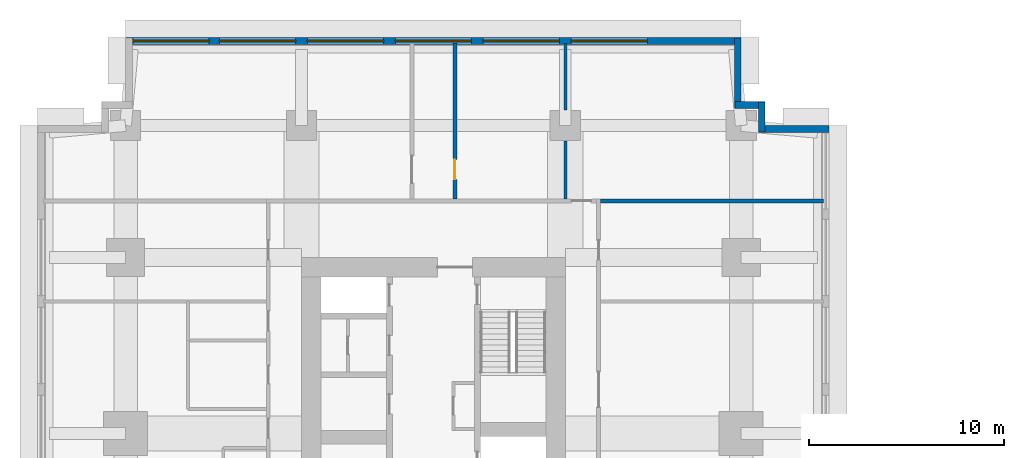
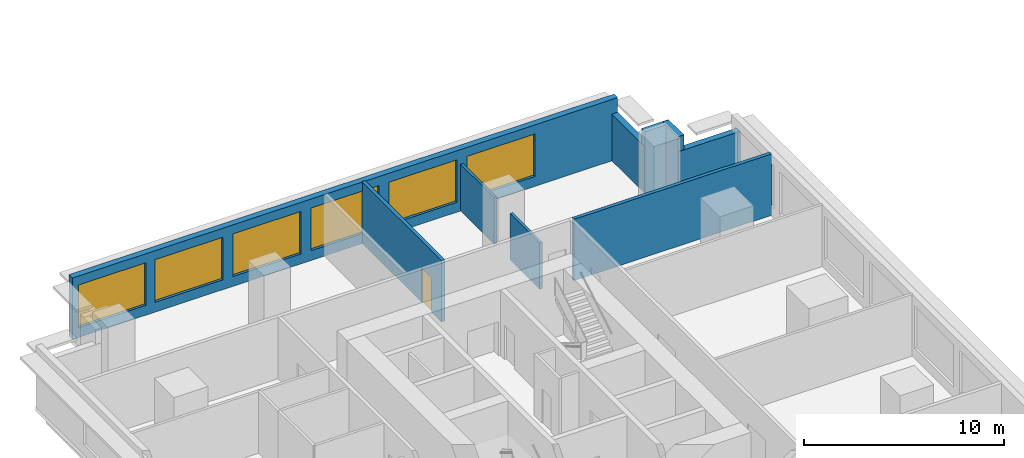
# One storey, part 5 of 7: 9 walls, 6 windows, 1 door, 7 openings.
"""IFC4 building model written with IfcOpenShell, lengths in metres."""

from ifc_helpers import new_model, si_unit, direction, frame, frame_2d, origin, place, context, subcontext, project, spatial, rectangle, extrude, material, layer, layer_set, type_object, element, fill, save


model = new_model("IFC4")

# Units and contexts
model_context = context("Model", 3, precision=1e-05, world=origin(), true_north=direction((0.0, 1.0)))
body_context = subcontext(model_context, "Body", "Model", "MODEL_VIEW")
ifc_project = project(units=[si_unit("LENGTHUNIT", "METRE"), si_unit("AREAUNIT", "SQUARE_METRE"), si_unit("VOLUMEUNIT", "CUBIC_METRE"), si_unit("PLANEANGLEUNIT", "RADIAN"), si_unit("MASSUNIT", "GRAM", prefix="KILO")], contexts=[model_context])

# Site, building, storey
site_placement = place(None, origin())
site = spatial("IfcSite", under=ifc_project, at=site_placement, CompositionType="ELEMENT")
building_placement = place(site_placement, origin())
building = spatial("IfcBuilding", under=site, at=building_placement, Name="Namib Vertical Campus", CompositionType="ELEMENT")
storey_placement = place(building_placement, frame((0.0, 0.0, 237.0)))
storey = spatial("IfcBuildingStorey", under=building, at=storey_placement, Name="L56", CompositionType="ELEMENT", Elevation=237.0)

# Wall, opening, door
ifc_material_1 = material(Name="Concrete masonry", Category="masonry")
ifc_layer_1 = layer(ifc_material_1, 0.199951171875)
ifc_layer_set_1 = layer_set([ifc_layer_1], Name="Corridor wall 200")
wall_type_1 = type_object("IfcWallType", Name="Corridor wall 200", PredefinedType="SOLIDWALL", material=ifc_layer_set_1)
wall_1_placement = place(storey_placement, frame((21.35009765625, 40.199951171875, 0.0), z_axis=(0.0, 0.0, 1.0), x_axis=(0.0, -1.0, 0.0)))
wall_1 = element("IfcWall", 1, at=wall_1_placement, inside=storey, type_object=wall_type_1, Name="Corridor wall A L56 SPN2", PredefinedType="SOLIDWALL", context=body_context, shape_type="SweptSolid", body=[
    extrude(rectangle(XDim=7.949951171875, YDim=0.199951171875, at=frame_2d((3.97509765625, 0.0))), origin(), (0.0, 0.0, 1.0), 3.75),
])
opening_1_placement = place(wall_1_placement, frame((5.949951171875, 0.0, 0.0)))
opening_1 = element("IfcOpeningElement", 2, at=opening_1_placement, cuts=wall_1, Name="Opening CD1", PredefinedType="OPENING", context=body_context, shape_type="SweptSolid", body=[
    extrude(rectangle(XDim=1.0, YDim=2.10009765625, at=frame_2d((0.5, 1.050048828125))), frame((0.0, 0.10986328125, 0.0), z_axis=(0.0, -1.0, 0.0), x_axis=(1.0, 0.0, 0.0)), (0.0, 0.0, 1.0), 0.219970703125),
])
ifc_material_2 = material(Name="Timber fire door leaf", Category="wood")
door_type = type_object("IfcDoorType", Name="Corridor door 1000x2100 20 min", OperationType="SINGLE_SWING_LEFT", PredefinedType="DOOR", material=ifc_material_2)
door_placement = place(opening_1_placement, origin())
door = element("IfcDoor", 3, at=door_placement, inside=storey, type_object=door_type, Name="Door CD1 A56-07", OperationType="SINGLE_SWING_RIGHT", OverallHeight=2.10009765625, OverallWidth=1.0, PredefinedType="DOOR", context=body_context, shape_type="SweptSolid", body=[
    extrude(rectangle(XDim=1.0, YDim=2.10009765625, at=frame_2d((0.5, 1.050048828125))), frame((0.0, 0.02490234375, 0.0), z_axis=(0.0, -1.0, 0.0), x_axis=(1.0, 0.0, 0.0)), (0.0, 0.0, 1.0), 0.050048828125),
])
fill(opening_1, door)

# Walls
wall_2_placement = place(storey_placement, frame((28.800048828125, 32.14990234375, 0.0), z_axis=(0.0, 0.0, 1.0), x_axis=(1.0, 0.0, 0.0)))
element("IfcWall", 4, at=wall_2_placement, inside=storey, type_object=wall_type_1, Name="Partition A L56 BNE", PredefinedType="SOLIDWALL", context=body_context, shape_type="SweptSolid", body=[
    extrude(rectangle(XDim=11.39990234375, YDim=0.199951171875, at=frame_2d((5.699951171875, 0.0))), origin(), (0.0, 0.0, 1.0), 3.75),
])
ifc_material_3 = material(Name="Concrete C40/50", Category="concrete")
ifc_layer_2 = layer(ifc_material_3, 0.35009765625)
ifc_layer_set_2 = layer_set([ifc_layer_2], Name="Concrete C40/50")
wall_type_2 = type_object("IfcWallType", Name="External wall 350 bush-hammered concrete", PredefinedType="STANDARD", material=ifc_layer_set_2)
wall_3_placement = place(storey_placement, frame((40.47998046875, 35.824951171875, 0.0), z_axis=(0.0, 0.0, 1.0), x_axis=(-1.0, 0.0, 0.0)))
element("IfcWall", 5, at=wall_3_placement, inside=storey, type_object=wall_type_2, Name="External wall L56 F07", PredefinedType="STANDARD", context=body_context, shape_type="SweptSolid", body=[
    extrude(rectangle(XDim=3.5849609375, YDim=0.35009765625, at=frame_2d((1.79248046875, 0.0))), origin(), (0.0, 0.0, 1.0), 2.85009765625),
])
for number, where, z_axis, x_axis, name in (
    (6, (37.050048828125, 35.669921875, 0.0), (0.0, 0.0, 1.0), (0.0, 1.0, 0.0), "External wall L56 F08"),
    (7, (37.205078125, 37.050048828125, 0.0), (0.0, 0.0, 1.0), (-1.0, 0.0, 0.0), "External wall L56 F09"),
):
    element("IfcWall", number, at=place(storey_placement, frame(where, z_axis=z_axis, x_axis=x_axis)), inside=storey, type_object=wall_type_2, Name=name, PredefinedType="STANDARD", context=body_context, shape_type="SweptSolid", body=[
        extrude(rectangle(XDim=1.53515625, YDim=0.35009765625, at=frame_2d((0.767578125, 0.0))), origin(), (0.0, 0.0, 1.0), 3.75),
    ])
wall_4_placement = place(storey_placement, frame((35.824951171875, 36.89501953125, 0.0), z_axis=(0.0, 0.0, 1.0), x_axis=(0.0, 1.0, 0.0)))
element("IfcWall", 8, at=wall_4_placement, inside=storey, type_object=wall_type_2, Name="External wall L56 F10", PredefinedType="STANDARD", context=body_context, shape_type="SweptSolid", body=[
    extrude(rectangle(XDim=3.5849609375, YDim=0.35009765625, at=frame_2d((1.79248046875, 0.0))), origin(), (0.0, 0.0, 1.0), 2.85009765625),
])

# Wall, openings, windows
wall_5_placement = place(storey_placement, frame((35.97998046875, 40.324951171875, 0.0), z_axis=(0.0, 0.0, 1.0), x_axis=(-1.0, 0.0, 0.0)))
wall_5 = element("IfcWall", 9, at=wall_5_placement, inside=storey, type_object=wall_type_2, Name="External wall L56 F11", PredefinedType="STANDARD", context=body_context, shape_type="SweptSolid", body=[
    extrude(rectangle(XDim=31.4599609375, YDim=0.35009765625, at=frame_2d((15.72998046875, 0.0))), origin(), (0.0, 0.0, 1.0), 3.75),
])
opening_2_placement = place(wall_5_placement, frame((27.2099609375, 0.0, 0.60009765625)))
opening_2 = element("IfcOpeningElement", 10, at=opening_2_placement, cuts=wall_5, Name="Opening W2", PredefinedType="OPENING", context=body_context, shape_type="SweptSolid", body=[
    extrude(rectangle(XDim=3.89990234375, YDim=2.60009765625, at=frame_2d((1.949951171875, 1.300048828125))), frame((0.0, 0.18505859375, 0.0), z_axis=(0.0, -1.0, 0.0), x_axis=(1.0, 0.0, 0.0)), (0.0, 0.0, 1.0), 0.3701171875),
])
opening_3_placement = place(wall_5_placement, frame((22.780029296875, 0.0, 0.60009765625)))
opening_3 = element("IfcOpeningElement", 11, at=opening_3_placement, cuts=wall_5, Name="Opening W2", PredefinedType="OPENING", context=body_context, shape_type="SweptSolid", body=[
    extrude(rectangle(XDim=3.89990234375, YDim=2.60009765625, at=frame_2d((1.949951171875, 1.300048828125))), frame((0.0, 0.18505859375, 0.0), z_axis=(0.0, -1.0, 0.0), x_axis=(1.0, 0.0, 0.0)), (0.0, 0.0, 1.0), 0.3701171875),
])
opening_4_placement = place(wall_5_placement, frame((18.280029296875, 0.0, 0.60009765625)))
opening_4 = element("IfcOpeningElement", 12, at=opening_4_placement, cuts=wall_5, Name="Opening W2", PredefinedType="OPENING", context=body_context, shape_type="SweptSolid", body=[
    extrude(rectangle(XDim=3.89990234375, YDim=2.60009765625, at=frame_2d((1.949951171875, 1.300048828125))), frame((0.0, 0.18505859375, 0.0), z_axis=(0.0, -1.0, 0.0), x_axis=(1.0, 0.0, 0.0)), (0.0, 0.0, 1.0), 0.3701171875),
])
opening_5_placement = place(wall_5_placement, frame((13.780029296875, 0.0, 0.60009765625)))
opening_5 = element("IfcOpeningElement", 13, at=opening_5_placement, cuts=wall_5, Name="Opening W2", PredefinedType="OPENING", context=body_context, shape_type="SweptSolid", body=[
    extrude(rectangle(XDim=3.89990234375, YDim=2.60009765625, at=frame_2d((1.949951171875, 1.300048828125))), frame((0.0, 0.18505859375, 0.0), z_axis=(0.0, -1.0, 0.0), x_axis=(1.0, 0.0, 0.0)), (0.0, 0.0, 1.0), 0.3701171875),
])
opening_6_placement = place(wall_5_placement, frame((9.280029296875, 0.0, 0.60009765625)))
opening_6 = element("IfcOpeningElement", 14, at=opening_6_placement, cuts=wall_5, Name="Opening W2", PredefinedType="OPENING", context=body_context, shape_type="SweptSolid", body=[
    extrude(rectangle(XDim=3.89990234375, YDim=2.60009765625, at=frame_2d((1.949951171875, 1.300048828125))), frame((0.0, 0.18505859375, 0.0), z_axis=(0.0, -1.0, 0.0), x_axis=(1.0, 0.0, 0.0)), (0.0, 0.0, 1.0), 0.3701171875),
])
opening_7_placement = place(wall_5_placement, frame((4.780029296875, 0.0, 0.60009765625)))
opening_7 = element("IfcOpeningElement", 15, at=opening_7_placement, cuts=wall_5, Name="Opening W2", PredefinedType="OPENING", context=body_context, shape_type="SweptSolid", body=[
    extrude(rectangle(XDim=3.89990234375, YDim=2.60009765625, at=frame_2d((1.949951171875, 1.300048828125))), frame((0.0, 0.18505859375, 0.0), z_axis=(0.0, -1.0, 0.0), x_axis=(1.0, 0.0, 0.0)), (0.0, 0.0, 1.0), 0.3701171875),
])
ifc_material_4 = material(Name="Dark tinted glass in black aluminium frame", Category="aluminium")
window_type = type_object("IfcWindowType", Name="Ribbon window 3900x2600", PartitioningType="SINGLE_PANEL", PredefinedType="WINDOW", material=ifc_material_4)
window_1_placement = place(opening_2_placement, origin())
window_1 = element("IfcWindow", 16, at=window_1_placement, inside=storey, type_object=window_type, Name="Window W2 L56 F11-1", OverallHeight=2.60009765625, OverallWidth=3.89990234375, PartitioningType="SINGLE_PANEL", PredefinedType="WINDOW", context=body_context, shape_type="SweptSolid", body=[
    extrude(rectangle(XDim=3.89990234375, YDim=2.60009765625, at=frame_2d((1.949951171875, 1.300048828125))), frame((0.0, 0.030029296875, 0.0), z_axis=(0.0, -1.0, 0.0), x_axis=(1.0, 0.0, 0.0)), (0.0, 0.0, 1.0), 0.06005859375),
])
fill(opening_2, window_1)
window_2_placement = place(opening_3_placement, origin())
window_2 = element("IfcWindow", 17, at=window_2_placement, inside=storey, type_object=window_type, Name="Window W2 L56 F11-2", OverallHeight=2.60009765625, OverallWidth=3.89990234375, PartitioningType="SINGLE_PANEL", PredefinedType="WINDOW", context=body_context, shape_type="SweptSolid", body=[
    extrude(rectangle(XDim=3.89990234375, YDim=2.60009765625, at=frame_2d((1.949951171875, 1.300048828125))), frame((0.0, 0.030029296875, 0.0), z_axis=(0.0, -1.0, 0.0), x_axis=(1.0, 0.0, 0.0)), (0.0, 0.0, 1.0), 0.06005859375),
])
fill(opening_3, window_2)
window_3_placement = place(opening_4_placement, origin())
window_3 = element("IfcWindow", 18, at=window_3_placement, inside=storey, type_object=window_type, Name="Window W2 L56 F11-3", OverallHeight=2.60009765625, OverallWidth=3.89990234375, PartitioningType="SINGLE_PANEL", PredefinedType="WINDOW", context=body_context, shape_type="SweptSolid", body=[
    extrude(rectangle(XDim=3.89990234375, YDim=2.60009765625, at=frame_2d((1.949951171875, 1.300048828125))), frame((0.0, 0.030029296875, 0.0), z_axis=(0.0, -1.0, 0.0), x_axis=(1.0, 0.0, 0.0)), (0.0, 0.0, 1.0), 0.06005859375),
])
fill(opening_4, window_3)
window_4_placement = place(opening_5_placement, origin())
window_4 = element("IfcWindow", 19, at=window_4_placement, inside=storey, type_object=window_type, Name="Window W2 L56 F11-4", OverallHeight=2.60009765625, OverallWidth=3.89990234375, PartitioningType="SINGLE_PANEL", PredefinedType="WINDOW", context=body_context, shape_type="SweptSolid", body=[
    extrude(rectangle(XDim=3.89990234375, YDim=2.60009765625, at=frame_2d((1.949951171875, 1.300048828125))), frame((0.0, 0.030029296875, 0.0), z_axis=(0.0, -1.0, 0.0), x_axis=(1.0, 0.0, 0.0)), (0.0, 0.0, 1.0), 0.06005859375),
])
fill(opening_5, window_4)
window_5_placement = place(opening_6_placement, origin())
window_5 = element("IfcWindow", 20, at=window_5_placement, inside=storey, type_object=window_type, Name="Window W2 L56 F11-5", OverallHeight=2.60009765625, OverallWidth=3.89990234375, PartitioningType="SINGLE_PANEL", PredefinedType="WINDOW", context=body_context, shape_type="SweptSolid", body=[
    extrude(rectangle(XDim=3.89990234375, YDim=2.60009765625, at=frame_2d((1.949951171875, 1.300048828125))), frame((0.0, 0.030029296875, 0.0), z_axis=(0.0, -1.0, 0.0), x_axis=(1.0, 0.0, 0.0)), (0.0, 0.0, 1.0), 0.06005859375),
])
fill(opening_6, window_5)
window_6_placement = place(opening_7_placement, origin())
window_6 = element("IfcWindow", 21, at=window_6_placement, inside=storey, type_object=window_type, Name="Window W2 L56 F11-6", OverallHeight=2.60009765625, OverallWidth=3.89990234375, PartitioningType="SINGLE_PANEL", PredefinedType="WINDOW", context=body_context, shape_type="SweptSolid", body=[
    extrude(rectangle(XDim=3.89990234375, YDim=2.60009765625, at=frame_2d((1.949951171875, 1.300048828125))), frame((0.0, 0.030029296875, 0.0), z_axis=(0.0, -1.0, 0.0), x_axis=(1.0, 0.0, 0.0)), (0.0, 0.0, 1.0), 0.06005859375),
])
fill(opening_7, window_6)

# Walls
ifc_material_5 = material(Name="Gypsum board on steel studs", Category="steel")
ifc_layer_3 = layer(ifc_material_5, 0.14990234375)
ifc_layer_set_3 = layer_set([ifc_layer_3], Name="Gypsum board on steel studs")
wall_type_3 = type_object("IfcWallType", Name="Partition 150", PredefinedType="PARTITIONING", material=ifc_layer_set_3)
wall_6_placement = place(storey_placement, frame((27.0, 32.25, 0.0), z_axis=(0.0, 0.0, 1.0), x_axis=(0.0, 1.0, 0.0)))
element("IfcWall", 22, at=wall_6_placement, inside=storey, type_object=wall_type_3, Name="Partition A L56 PN3", PredefinedType="PARTITIONING", context=body_context, shape_type="SweptSolid", body=[
    extrude(rectangle(XDim=2.955078125, YDim=0.14990234375, at=frame_2d((1.4775390625, 0.0))), origin(), (0.0, 0.0, 1.0), 2.85009765625),
])
wall_7_placement = place(storey_placement, frame((27.0, 36.794921875, 0.0), z_axis=(0.0, 0.0, 1.0), x_axis=(0.0, 1.0, 0.0)))
element("IfcWall", 23, at=wall_7_placement, inside=storey, type_object=wall_type_3, Name="Partition A L56 PN3", PredefinedType="PARTITIONING", context=body_context, shape_type="SweptSolid", body=[
    extrude(rectangle(XDim=3.405029296875, YDim=0.14990234375, at=frame_2d((1.70263671875, 0.0))), origin(), (0.0, 0.0, 1.0), 2.85009765625),
])

save(model, "model.ifc")
